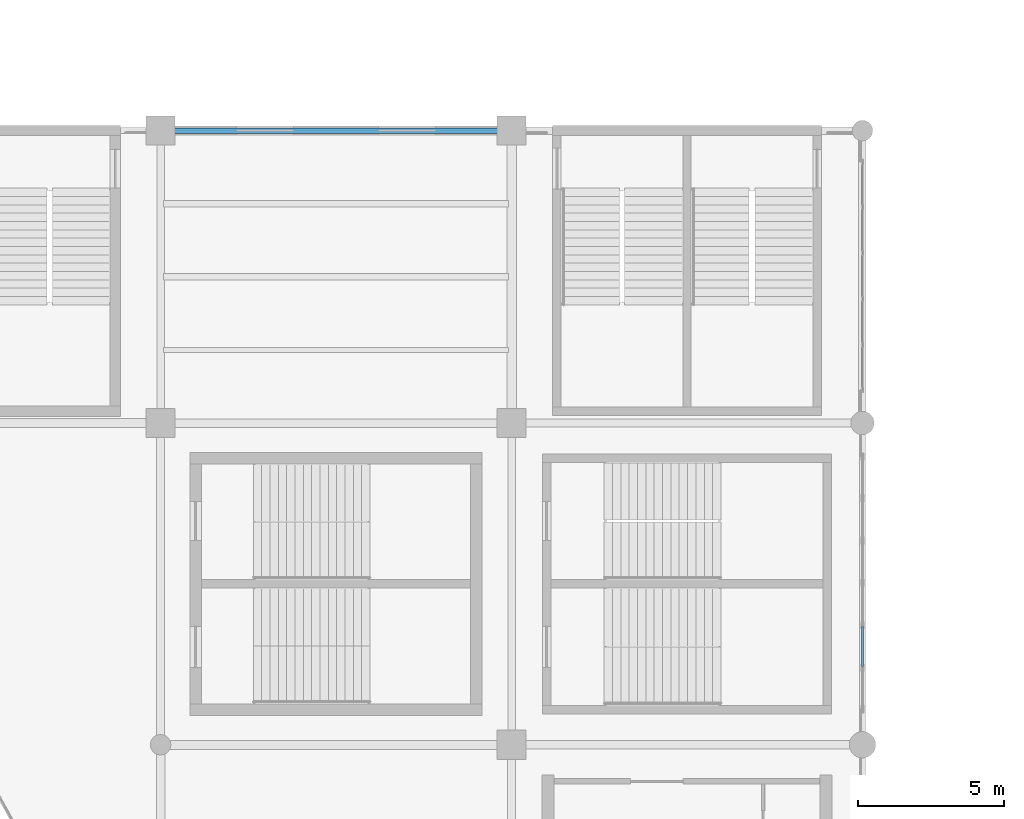
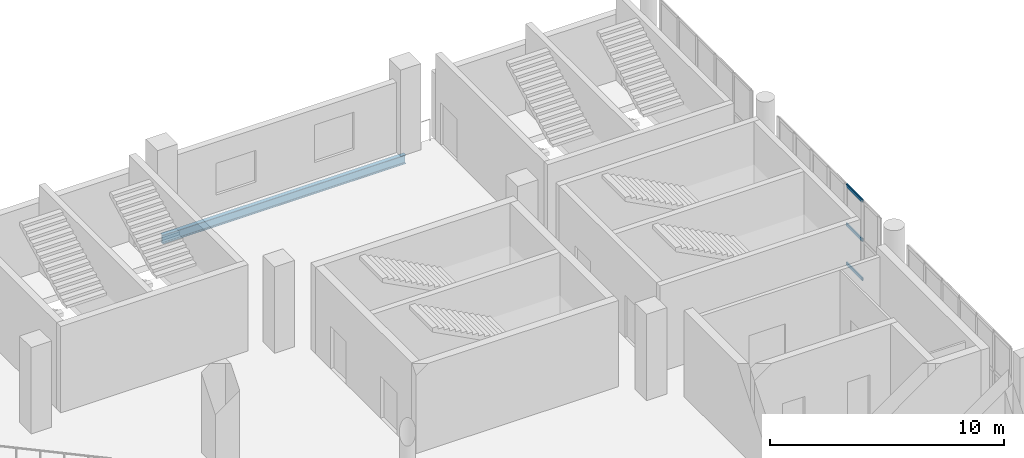
# One storey, part 63 of 108: 3 members, 1 beam, 1 element without a shape of its own.
"""IFC4 building model written with IfcOpenShell, lengths in metres."""

from ifc_helpers import new_model, si_unit, direction, frame, origin, origin_2d, place, context, subcontext, project, spatial, hollow_rectangle, i_section, extrude, material, layer, layer_set, material_profile, profile_set, type_object, element, aggregate, save


model = new_model("IFC4")

# Units and contexts
model_context = context("Model", 3, precision=1e-05, world=origin(), true_north=direction((0.0, 1.0)))
body_context = subcontext(model_context, "Body", "Model", "MODEL_VIEW")
ifc_project = project(units=[si_unit("LENGTHUNIT", "METRE"), si_unit("AREAUNIT", "SQUARE_METRE"), si_unit("VOLUMEUNIT", "CUBIC_METRE"), si_unit("PLANEANGLEUNIT", "RADIAN"), si_unit("MASSUNIT", "GRAM", prefix="KILO")], contexts=[model_context])

# Site, building, storey
site_placement = place(None, origin())
site = spatial("IfcSite", under=ifc_project, at=site_placement, CompositionType="ELEMENT")
building_placement = place(site_placement, origin())
building = spatial("IfcBuilding", under=site, at=building_placement, Name="Brinegate Civic Arena", CompositionType="ELEMENT")
storey_placement = place(building_placement, frame((0.0, 0.0, 10.199951171875)))
storey = spatial("IfcBuildingStorey", under=building, at=storey_placement, Name="L02", CompositionType="ELEMENT", Elevation=10.199951171875)

# Curtain wall, members
ifc_material_1 = material(Name="Marine grade aluminium", Category="aluminium")
ifc_layer = layer(ifc_material_1, 0.199951171875, Name="Marine grade aluminium")
ifc_layer_set = layer_set([ifc_layer], Name="Marine grade aluminium")
curtain_wall_type = type_object("IfcCurtainWallType", Name="CW-BOWL-GLAZED-01", PredefinedType="USERDEFINED", material=ifc_layer_set)
curtain_wall_placement = place(storey_placement, origin())
curtain_wall = element("IfcCurtainWall", 1, at=curtain_wall_placement, inside=storey, type_object=curtain_wall_type, Name="Curtain Wall CWA-090", ObjectType="GLAZED CURTAIN WALL", PredefinedType="USERDEFINED")
ifc_material_profile_1 = material_profile(ifc_material_1, hollow_rectangle(XDim=0.06494140625, YDim=0.1650390625, WallThickness=0.0048828125, InnerFilletRadius=0.00390625, OuterFilletRadius=0.008056640625, at=origin_2d()), Name="TRN65X165")
ifc_profile_set_1 = profile_set([ifc_material_profile_1], Name="Marine grade aluminium")
member_type = type_object("IfcMemberType", Name="CW-TRANSOM-65X165", PredefinedType="USERDEFINED", material=ifc_profile_set_1)
member_1_placement = place(storey_placement, frame((168.0, 95.673095703125, 0.032470703125), z_axis=(0.0, 1.0, 0.0), x_axis=(-1.0, 0.0, 0.0)))
member_1 = element("IfcMember", 2, at=member_1_placement, type_object=member_type, Name="CWA-090 transom 2.1", ObjectType="TRANSOM", PredefinedType="USERDEFINED", context=body_context, shape_type="SweptSolid", body=[
    extrude(hollow_rectangle(XDim=0.06494140625, YDim=0.1650390625, WallThickness=0.0048828125, InnerFilletRadius=0.00390625, OuterFilletRadius=0.008056640625, at=origin_2d()), origin(), (0.0, 0.0, 1.0), 1.374755859375),
])
member_2_placement = place(storey_placement, frame((168.0, 95.673095703125, 2.074951171875), z_axis=(0.0, 1.0, 0.0), x_axis=(-1.0, 0.0, 0.0)))
member_2 = element("IfcMember", 3, at=member_2_placement, type_object=member_type, Name="CWA-090 transom 2.2", ObjectType="TRANSOM", PredefinedType="USERDEFINED", context=body_context, shape_type="SweptSolid", body=[
    extrude(hollow_rectangle(XDim=0.06494140625, YDim=0.1650390625, WallThickness=0.0048828125, InnerFilletRadius=0.00390625, OuterFilletRadius=0.008056640625, at=origin_2d()), origin(), (0.0, 0.0, 1.0), 1.374755859375),
])
member_3_placement = place(storey_placement, frame((168.0, 95.673095703125, 4.117431640625), z_axis=(0.0, 1.0, 0.0), x_axis=(-1.0, 0.0, 0.0)))
member_3 = element("IfcMember", 4, at=member_3_placement, type_object=member_type, Name="CWA-090 transom 2.3", ObjectType="TRANSOM", PredefinedType="USERDEFINED", context=body_context, shape_type="SweptSolid", body=[
    extrude(hollow_rectangle(XDim=0.06494140625, YDim=0.1650390625, WallThickness=0.0048828125, InnerFilletRadius=0.00390625, OuterFilletRadius=0.008056640625, at=origin_2d()), origin(), (0.0, 0.0, 1.0), 1.374755859375),
])
aggregate(curtain_wall, [member_1, member_2, member_3])

# Beam
ifc_material_2 = material(Name="Steel S355", Category="steel")
ifc_material_profile_2 = material_profile(ifc_material_2, i_section(OverallWidth=0.193115234375, OverallDepth=0.466064453125, WebThickness=0.010986328125, FlangeThickness=0.01904296875, FilletRadius=0.014892578125, at=origin_2d()), Name="W460X97")
ifc_profile_set_2 = profile_set([ifc_material_profile_2], Name="Steel S355")
beam_type = type_object("IfcBeamType", Name="SPANDREL-W460X97", PredefinedType="SPANDREL", material=ifc_profile_set_2)
beam_placement = place(storey_placement, frame((144.0, 114.0, -0.56298828125), z_axis=(1.0, 0.0, 0.0), x_axis=(0.0, 1.0, 0.0)))
element("IfcBeam", 5, at=beam_placement, inside=storey, type_object=beam_type, Name="Floor Girder BM-L02-GX-12-11", PredefinedType="SPANDREL", context=body_context, shape_type="SweptSolid", body=[
    extrude(i_section(OverallWidth=0.193115234375, OverallDepth=0.466064453125, WebThickness=0.010986328125, FlangeThickness=0.01904296875, FilletRadius=0.014892578125, at=origin_2d()), origin(), (0.0, 0.0, 1.0), 12.0),
])

save(model, "model.ifc")
